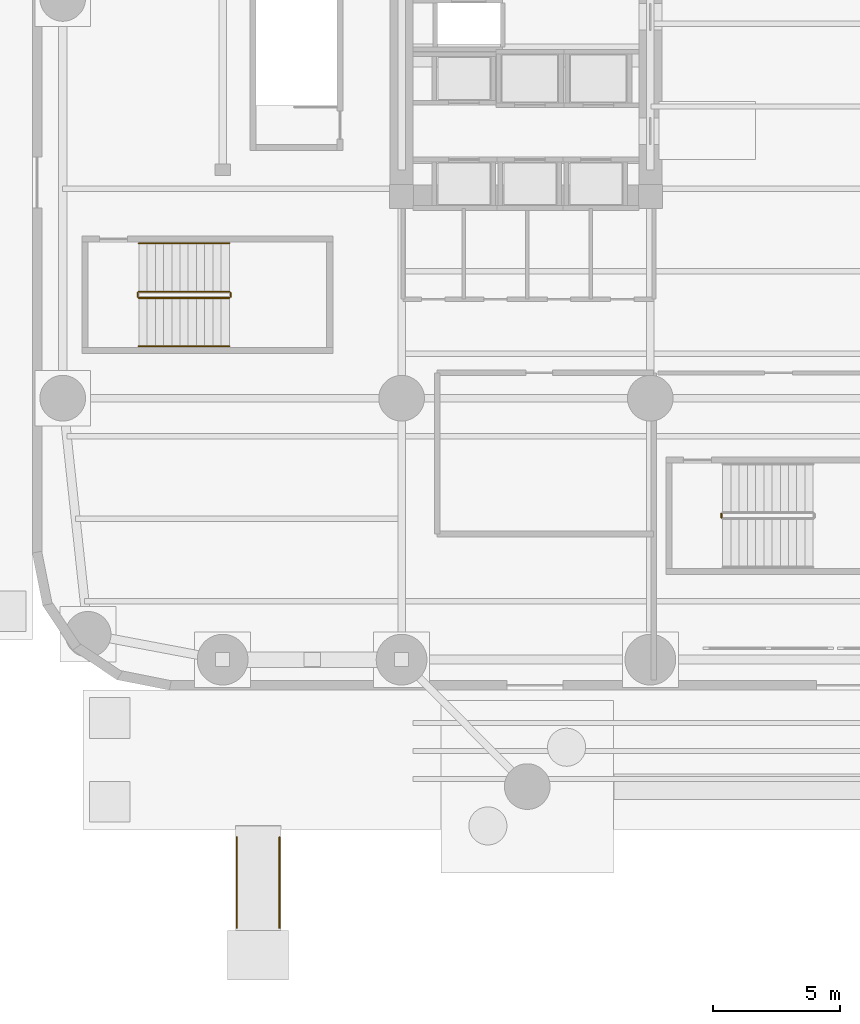
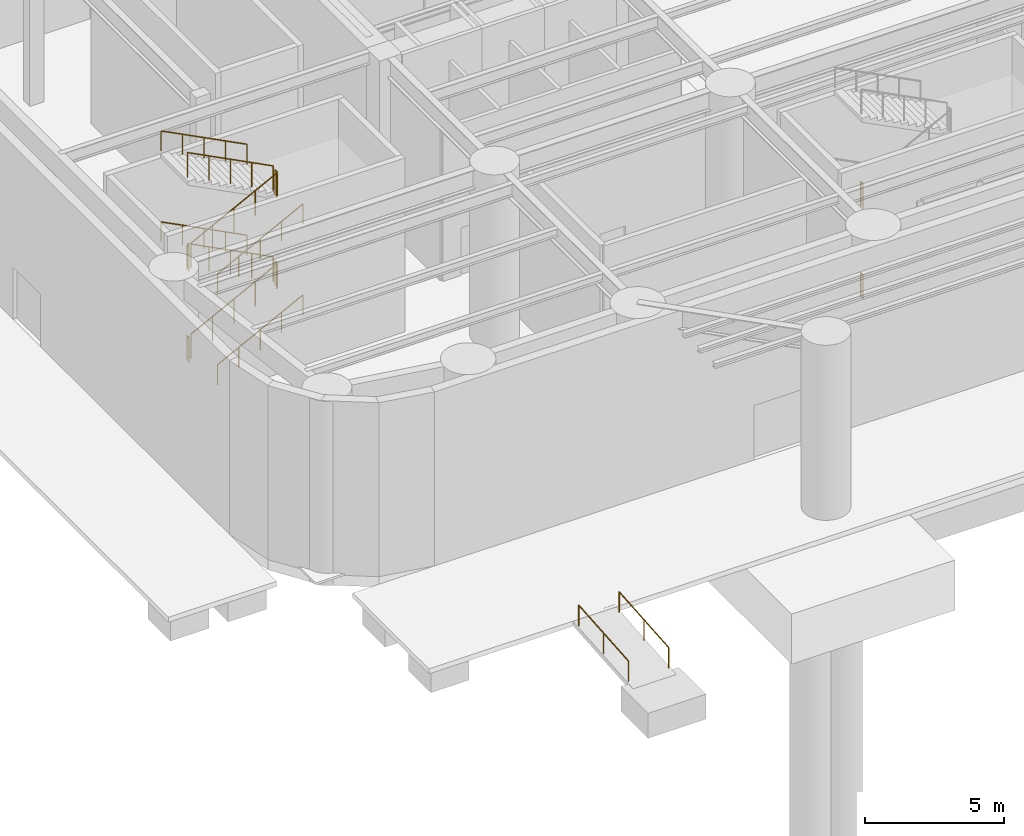
# One storey, part 16 of 25: 16 railings.
"""IFC4 building model written with IfcOpenShell, lengths in metres."""

from ifc_helpers import new_model, si_unit, direction, frame, origin, origin_2d, place, context, subcontext, project, spatial, circle, extrude, material, type_object, element, save


model = new_model("IFC4")

# Units and contexts
model_context = context("Model", 3, precision=1e-05, world=origin(), true_north=direction((0.0, 1.0)))
body_context = subcontext(model_context, "Body", "Model", "MODEL_VIEW")
ifc_project = project(units=[si_unit("LENGTHUNIT", "METRE"), si_unit("AREAUNIT", "SQUARE_METRE"), si_unit("VOLUMEUNIT", "CUBIC_METRE"), si_unit("PLANEANGLEUNIT", "RADIAN"), si_unit("MASSUNIT", "GRAM", prefix="KILO")], contexts=[model_context])

# Site, building, storey
site_placement = place(None, origin())
site = spatial("IfcSite", under=ifc_project, at=site_placement, CompositionType="ELEMENT")
building_placement = place(site_placement, origin())
building = spatial("IfcBuilding", under=site, at=building_placement, Name="Kolvaren Arena Tower", CompositionType="ELEMENT")
storey_placement = place(building_placement, origin())
storey = spatial("IfcBuildingStorey", under=building, at=storey_placement, Name="L00", CompositionType="ELEMENT", Elevation=0.0)

# Railings
ifc_material_1 = material(Name="Painted galvanized steel", Category="steel")
railing_type_1 = type_object("IfcRailingType", Name="GUARD-ST-110", PredefinedType="GUARDRAIL", material=ifc_material_1)
railing_1_placement = place(storey_placement, frame((4.199951171875, 15.449951171875, 0.166748046875)))
element("IfcRailing", 1, at=railing_1_placement, inside=storey, type_object=railing_type_1, Name="L00 ST-A1 stair guard 1", PredefinedType="GUARDRAIL", context=body_context, shape_type="SweptSolid", body=[
    extrude(circle(Radius=0.02392578125, at=origin_2d()), frame((0.0, 0.0, 1.076171875), z_axis=(0.889251698267, 0.0, 0.45741820813), x_axis=(0.0, 1.0, 0.0)), (0.0, 0.0, 1.0), 4.0078125),
    extrude(circle(Radius=0.02099609375, at=origin_2d()), origin(), (0.0, 0.0, 1.0), 1.052001953125),
    extrude(circle(Radius=0.02099609375, at=origin_2d()), frame((0.89111328125, 0.0, 0.458251953125)), (0.0, 0.0, 1.0), 1.052001953125),
    extrude(circle(Radius=0.02099609375, at=origin_2d()), frame((1.781982421875, 0.0, 0.91650390625)), (0.0, 0.0, 1.0), 1.052001953125),
    extrude(circle(Radius=0.02099609375, at=origin_2d()), frame((2.6728515625, 0.0, 1.375)), (0.0, 0.0, 1.0), 1.052001953125),
    extrude(circle(Radius=0.02099609375, at=origin_2d()), frame((3.56396484375, 0.0, 1.833251953125)), (0.0, 0.0, 1.0), 1.052001953125),
])
railing_2_placement = place(storey_placement, frame((7.81396484375, 15.5, 2.0)))
element("IfcRailing", 2, at=railing_2_placement, inside=storey, type_object=railing_type_1, Name="L00 ST-A1 stair guard 2", PredefinedType="GUARDRAIL", context=body_context, shape_type="SweptSolid", body=[
    extrude(circle(Radius=0.02392578125, at=origin_2d()), frame((0.0, 0.0, 1.076171875), z_axis=(0.0, 1.0, 0.0), x_axis=(-1.0, 0.0, 0.0)), (0.0, 0.0, 1.0), 0.14990234375),
    extrude(circle(Radius=0.02099609375, at=origin_2d()), origin(), (0.0, 0.0, 1.0), 1.052001953125),
    extrude(circle(Radius=0.02099609375, at=origin_2d()), frame((0.0, 0.14990234375, 0.0)), (0.0, 0.0, 1.0), 1.052001953125),
])
railing_3_placement = place(storey_placement, frame((7.763916015625, 15.699951171875, 2.166748046875)))
element("IfcRailing", 3, at=railing_3_placement, inside=storey, type_object=railing_type_1, Name="L00 ST-A1 stair guard 3", PredefinedType="GUARDRAIL", context=body_context, shape_type="SweptSolid", body=[
    extrude(circle(Radius=0.02392578125, at=origin_2d()), frame((0.0, 0.0, 1.076171875), z_axis=(-0.889251698267, 0.0, 0.45741820813), x_axis=(0.0, -1.0, 0.0)), (0.0, 0.0, 1.0), 4.0078125),
    extrude(circle(Radius=0.02099609375, at=origin_2d()), origin(), (0.0, 0.0, 1.0), 1.052001953125),
    extrude(circle(Radius=0.02099609375, at=origin_2d()), frame((-0.89111328125, 0.0, 0.458251953125)), (0.0, 0.0, 1.0), 1.052001953125),
    extrude(circle(Radius=0.02099609375, at=origin_2d()), frame((-1.781982421875, 0.0, 0.91650390625)), (0.0, 0.0, 1.0), 1.052001953125),
    extrude(circle(Radius=0.02099609375, at=origin_2d()), frame((-2.6728515625, 0.0, 1.375)), (0.0, 0.0, 1.0), 1.052001953125),
    extrude(circle(Radius=0.02099609375, at=origin_2d()), frame((-3.56396484375, 0.0, 1.833251953125)), (0.0, 0.0, 1.0), 1.052001953125),
])
railing_4_placement = place(storey_placement, frame((4.14990234375, 15.5, 4.0)))
element("IfcRailing", 4, at=railing_4_placement, inside=storey, type_object=railing_type_1, Name="L00 ST-A1 stair guard 4", PredefinedType="GUARDRAIL", context=body_context, shape_type="SweptSolid", body=[
    extrude(circle(Radius=0.02392578125, at=origin_2d()), frame((0.0, 0.0, 1.076171875), z_axis=(0.0, 1.0, 0.0), x_axis=(-1.0, 0.0, 0.0)), (0.0, 0.0, 1.0), 0.14990234375),
    extrude(circle(Radius=0.02099609375, at=origin_2d()), origin(), (0.0, 0.0, 1.0), 1.052001953125),
    extrude(circle(Radius=0.02099609375, at=origin_2d()), frame((0.0, 0.14990234375, 0.0)), (0.0, 0.0, 1.0), 1.052001953125),
])
railing_5_placement = place(storey_placement, frame((4.199951171875, 15.449951171875, 4.166748046875)))
element("IfcRailing", 5, at=railing_5_placement, inside=storey, type_object=railing_type_1, Name="L00 ST-A1 stair guard 5", PredefinedType="GUARDRAIL", context=body_context, shape_type="SweptSolid", body=[
    extrude(circle(Radius=0.02392578125, at=origin_2d()), frame((0.0, 0.0, 1.076171875), z_axis=(0.889251698267, 0.0, 0.45741820813), x_axis=(0.0, 1.0, 0.0)), (0.0, 0.0, 1.0), 4.0078125),
    extrude(circle(Radius=0.02099609375, at=origin_2d()), origin(), (0.0, 0.0, 1.0), 1.052001953125),
    extrude(circle(Radius=0.02099609375, at=origin_2d()), frame((0.89111328125, 0.0, 0.458251953125)), (0.0, 0.0, 1.0), 1.052001953125),
    extrude(circle(Radius=0.02099609375, at=origin_2d()), frame((1.781982421875, 0.0, 0.91650390625)), (0.0, 0.0, 1.0), 1.052001953125),
    extrude(circle(Radius=0.02099609375, at=origin_2d()), frame((2.6728515625, 0.0, 1.375)), (0.0, 0.0, 1.0), 1.052001953125),
    extrude(circle(Radius=0.02099609375, at=origin_2d()), frame((3.56396484375, 0.0, 1.833251953125)), (0.0, 0.0, 1.0), 1.052001953125),
])
railing_6_placement = place(storey_placement, frame((7.81396484375, 15.5, 6.0)))
element("IfcRailing", 6, at=railing_6_placement, inside=storey, type_object=railing_type_1, Name="L00 ST-A1 stair guard 6", PredefinedType="GUARDRAIL", context=body_context, shape_type="SweptSolid", body=[
    extrude(circle(Radius=0.02392578125, at=origin_2d()), frame((0.0, 0.0, 1.076171875), z_axis=(0.0, 1.0, 0.0), x_axis=(-1.0, 0.0, 0.0)), (0.0, 0.0, 1.0), 0.14990234375),
    extrude(circle(Radius=0.02099609375, at=origin_2d()), origin(), (0.0, 0.0, 1.0), 1.052001953125),
    extrude(circle(Radius=0.02099609375, at=origin_2d()), frame((0.0, 0.14990234375, 0.0)), (0.0, 0.0, 1.0), 1.052001953125),
])
railing_7_placement = place(storey_placement, frame((7.763916015625, 15.699951171875, 6.166748046875)))
element("IfcRailing", 7, at=railing_7_placement, inside=storey, type_object=railing_type_1, Name="L00 ST-A1 stair guard 7", PredefinedType="GUARDRAIL", context=body_context, shape_type="SweptSolid", body=[
    extrude(circle(Radius=0.02392578125, at=origin_2d()), frame((0.0, 0.0, 1.076171875), z_axis=(-0.889251698267, 0.0, 0.45741820813), x_axis=(0.0, -1.0, 0.0)), (0.0, 0.0, 1.0), 4.0078125),
    extrude(circle(Radius=0.02099609375, at=origin_2d()), origin(), (0.0, 0.0, 1.0), 1.052001953125),
    extrude(circle(Radius=0.02099609375, at=origin_2d()), frame((-0.89111328125, 0.0, 0.458251953125)), (0.0, 0.0, 1.0), 1.052001953125),
    extrude(circle(Radius=0.02099609375, at=origin_2d()), frame((-1.781982421875, 0.0, 0.91650390625)), (0.0, 0.0, 1.0), 1.052001953125),
    extrude(circle(Radius=0.02099609375, at=origin_2d()), frame((-2.6728515625, 0.0, 1.375)), (0.0, 0.0, 1.0), 1.052001953125),
    extrude(circle(Radius=0.02099609375, at=origin_2d()), frame((-3.56396484375, 0.0, 1.833251953125)), (0.0, 0.0, 1.0), 1.052001953125),
])
for number, where, name in (
    (8, (4.14990234375, 15.5, 0.0), "L00 ST-A1 stair guard 8"),
    (9, (27.14990234375, 6.800048828125, 4.0), "L00 ST-A2 stair guard 4"),
    (10, (27.14990234375, 6.800048828125, 0.0), "L00 ST-A2 stair guard 8"),
):
    element("IfcRailing", number, at=place(storey_placement, frame(where)), inside=storey, type_object=railing_type_1, Name=name, PredefinedType="GUARDRAIL", context=body_context, shape_type="SweptSolid", body=[
        extrude(circle(Radius=0.02392578125, at=origin_2d()), frame((0.0, 0.0, 1.076171875), z_axis=(0.0, 1.0, 0.0), x_axis=(-1.0, 0.0, 0.0)), (0.0, 0.0, 1.0), 0.14990234375),
        extrude(circle(Radius=0.02099609375, at=origin_2d()), origin(), (0.0, 0.0, 1.0), 1.052001953125),
        extrude(circle(Radius=0.02099609375, at=origin_2d()), frame((0.0, 0.14990234375, 0.0)), (0.0, 0.0, 1.0), 1.052001953125),
    ])
ifc_material_2 = material(Name="Brushed stainless steel handrail", Category="steel")
railing_type_2 = type_object("IfcRailingType", Name="HRAIL-900", PredefinedType="HANDRAIL", material=ifc_material_2)
for number, where, name in (
    (11, (8.06005859375, -9.3701171875, -0.322509765625), "Barrier-Free Ramp Handrail BR-01"),
    (12, (9.739990234375, -9.3701171875, -0.322509765625), "Barrier-Free Ramp Handrail BR-01"),
):
    element("IfcRailing", number, at=place(storey_placement, frame(where)), inside=storey, type_object=railing_type_2, Name=name, PredefinedType="HANDRAIL", context=body_context, shape_type="SweptSolid", body=[
        extrude(circle(Radius=0.02392578125, at=origin_2d()), frame((0.0, 0.0, 0.89599609375), z_axis=(0.0, 0.996830649407, 0.079552852893), x_axis=(-1.0, 0.0, 0.0)), (0.0, 0.0, 1.0), 3.581298828125),
        extrude(circle(Radius=0.02099609375, at=origin_2d()), origin(), (0.0, 0.0, 1.0), 0.871826171875),
        extrude(circle(Radius=0.02099609375, at=origin_2d()), frame((0.0, 1.78515625, 0.142578125)), (0.0, 0.0, 1.0), 0.871826171875),
        extrude(circle(Radius=0.02099609375, at=origin_2d()), frame((0.0, 3.570068359375, 0.284912109375)), (0.0, 0.0, 1.0), 0.871826171875),
    ])
railing_8_placement = place(storey_placement, frame((4.199951171875, 13.550048828125, 0.166748046875)))
element("IfcRailing", 13, at=railing_8_placement, inside=storey, type_object=railing_type_2, Name="L00 ST-A1 stair handrail 1", PredefinedType="HANDRAIL", context=body_context, shape_type="SweptSolid", body=[
    extrude(circle(Radius=0.02392578125, at=origin_2d()), frame((0.0, 0.0, 0.8759765625), z_axis=(0.889251698267, 0.0, 0.45741820813), x_axis=(0.0, 1.0, 0.0)), (0.0, 0.0, 1.0), 4.0078125),
    extrude(circle(Radius=0.02099609375, at=origin_2d()), origin(), (0.0, 0.0, 1.0), 0.851806640625),
    extrude(circle(Radius=0.02099609375, at=origin_2d()), frame((0.89111328125, 0.0, 0.458251953125)), (0.0, 0.0, 1.0), 0.851806640625),
    extrude(circle(Radius=0.02099609375, at=origin_2d()), frame((1.781982421875, 0.0, 0.91650390625)), (0.0, 0.0, 1.0), 0.851806640625),
    extrude(circle(Radius=0.02099609375, at=origin_2d()), frame((2.6728515625, 0.0, 1.375)), (0.0, 0.0, 1.0), 0.851806640625),
    extrude(circle(Radius=0.02099609375, at=origin_2d()), frame((3.56396484375, 0.0, 1.833251953125)), (0.0, 0.0, 1.0), 0.851806640625),
])
railing_9_placement = place(storey_placement, frame((7.763916015625, 17.60009765625, 2.166748046875)))
element("IfcRailing", 14, at=railing_9_placement, inside=storey, type_object=railing_type_2, Name="L00 ST-A1 stair handrail 2", PredefinedType="HANDRAIL", context=body_context, shape_type="SweptSolid", body=[
    extrude(circle(Radius=0.02392578125, at=origin_2d()), frame((0.0, 0.0, 0.8759765625), z_axis=(-0.889251698267, 0.0, 0.45741820813), x_axis=(0.0, -1.0, 0.0)), (0.0, 0.0, 1.0), 4.0078125),
    extrude(circle(Radius=0.02099609375, at=origin_2d()), origin(), (0.0, 0.0, 1.0), 0.851806640625),
    extrude(circle(Radius=0.02099609375, at=origin_2d()), frame((-0.89111328125, 0.0, 0.458251953125)), (0.0, 0.0, 1.0), 0.851806640625),
    extrude(circle(Radius=0.02099609375, at=origin_2d()), frame((-1.781982421875, 0.0, 0.91650390625)), (0.0, 0.0, 1.0), 0.851806640625),
    extrude(circle(Radius=0.02099609375, at=origin_2d()), frame((-2.6728515625, 0.0, 1.375)), (0.0, 0.0, 1.0), 0.851806640625),
    extrude(circle(Radius=0.02099609375, at=origin_2d()), frame((-3.56396484375, 0.0, 1.833251953125)), (0.0, 0.0, 1.0), 0.851806640625),
])
railing_10_placement = place(storey_placement, frame((4.199951171875, 13.550048828125, 4.166748046875)))
element("IfcRailing", 15, at=railing_10_placement, inside=storey, type_object=railing_type_2, Name="L00 ST-A1 stair handrail 3", PredefinedType="HANDRAIL", context=body_context, shape_type="SweptSolid", body=[
    extrude(circle(Radius=0.02392578125, at=origin_2d()), frame((0.0, 0.0, 0.8759765625), z_axis=(0.889251698267, 0.0, 0.45741820813), x_axis=(0.0, 1.0, 0.0)), (0.0, 0.0, 1.0), 4.0078125),
    extrude(circle(Radius=0.02099609375, at=origin_2d()), origin(), (0.0, 0.0, 1.0), 0.851806640625),
    extrude(circle(Radius=0.02099609375, at=origin_2d()), frame((0.89111328125, 0.0, 0.458251953125)), (0.0, 0.0, 1.0), 0.851806640625),
    extrude(circle(Radius=0.02099609375, at=origin_2d()), frame((1.781982421875, 0.0, 0.91650390625)), (0.0, 0.0, 1.0), 0.851806640625),
    extrude(circle(Radius=0.02099609375, at=origin_2d()), frame((2.6728515625, 0.0, 1.375)), (0.0, 0.0, 1.0), 0.851806640625),
    extrude(circle(Radius=0.02099609375, at=origin_2d()), frame((3.56396484375, 0.0, 1.833251953125)), (0.0, 0.0, 1.0), 0.851806640625),
])
railing_11_placement = place(storey_placement, frame((7.763916015625, 17.60009765625, 6.166748046875)))
element("IfcRailing", 16, at=railing_11_placement, inside=storey, type_object=railing_type_2, Name="L00 ST-A1 stair handrail 4", PredefinedType="HANDRAIL", context=body_context, shape_type="SweptSolid", body=[
    extrude(circle(Radius=0.02392578125, at=origin_2d()), frame((0.0, 0.0, 0.8759765625), z_axis=(-0.889251698267, 0.0, 0.45741820813), x_axis=(0.0, -1.0, 0.0)), (0.0, 0.0, 1.0), 4.0078125),
    extrude(circle(Radius=0.02099609375, at=origin_2d()), origin(), (0.0, 0.0, 1.0), 0.851806640625),
    extrude(circle(Radius=0.02099609375, at=origin_2d()), frame((-0.89111328125, 0.0, 0.458251953125)), (0.0, 0.0, 1.0), 0.851806640625),
    extrude(circle(Radius=0.02099609375, at=origin_2d()), frame((-1.781982421875, 0.0, 0.91650390625)), (0.0, 0.0, 1.0), 0.851806640625),
    extrude(circle(Radius=0.02099609375, at=origin_2d()), frame((-2.6728515625, 0.0, 1.375)), (0.0, 0.0, 1.0), 0.851806640625),
    extrude(circle(Radius=0.02099609375, at=origin_2d()), frame((-3.56396484375, 0.0, 1.833251953125)), (0.0, 0.0, 1.0), 0.851806640625),
])

save(model, "model.ifc")
